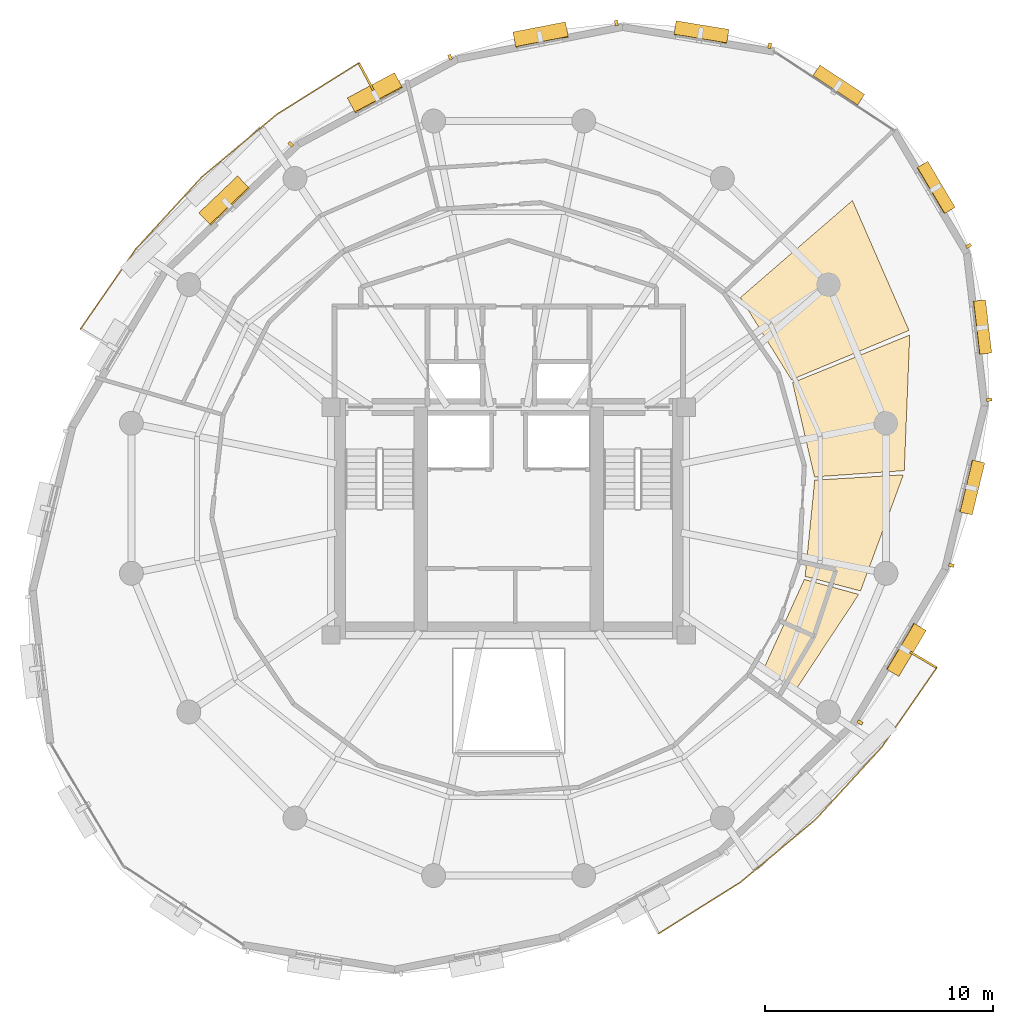
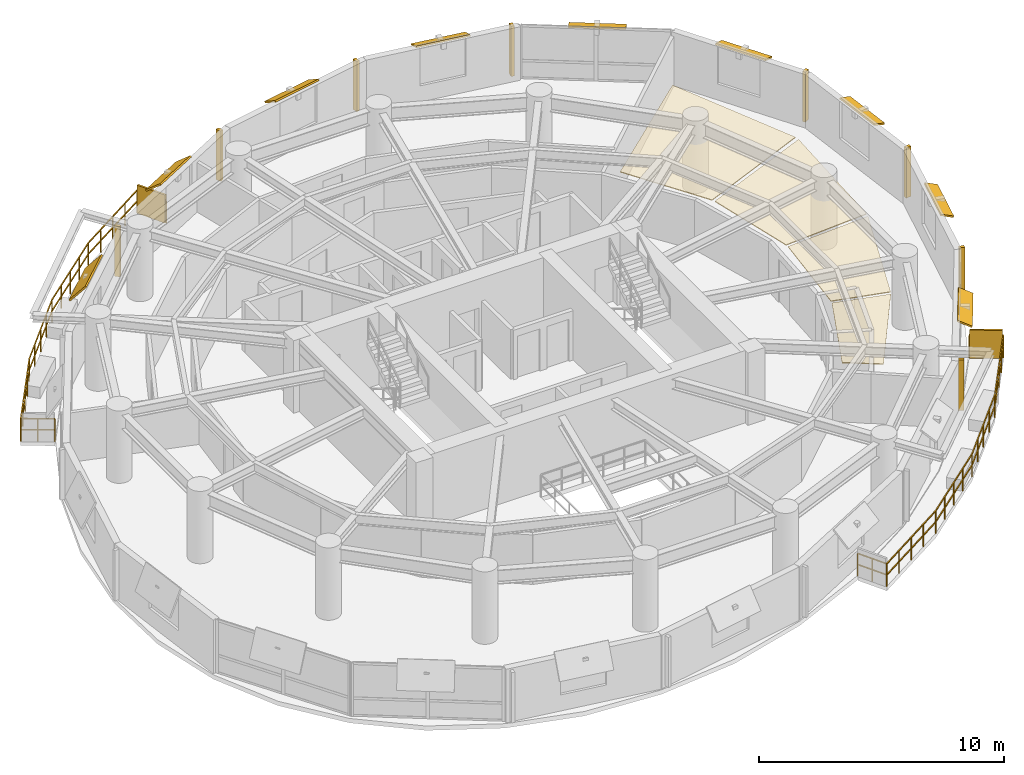
# One storey, part 12 of 12: 19 shading devices, 4 coverings, 2 railings.
"""IFC4 building model written with IfcOpenShell, lengths in metres."""

from ifc_helpers import new_model, si_unit, direction, frame, origin, origin_2d, place, context, subcontext, project, spatial, polyline, rectangle, outline, extrude, material, layer, layer_set, type_object, element, save


model = new_model("IFC4")

# Units and contexts
model_context = context("Model", 3, precision=1e-05, world=origin(), true_north=direction((0.0, 1.0)))
body_context = subcontext(model_context, "Body", "Model", "MODEL_VIEW")
ifc_project = project(units=[si_unit("LENGTHUNIT", "METRE"), si_unit("AREAUNIT", "SQUARE_METRE"), si_unit("VOLUMEUNIT", "CUBIC_METRE"), si_unit("PLANEANGLEUNIT", "RADIAN"), si_unit("MASSUNIT", "GRAM", prefix="KILO"), si_unit("THERMODYNAMICTEMPERATUREUNIT", "KELVIN"), si_unit("POWERUNIT", "WATT")], contexts=[model_context])

# Site, building, storey
site_placement = place(None, origin())
site = spatial("IfcSite", under=ifc_project, at=site_placement, CompositionType="ELEMENT")
building_placement = place(site_placement, origin())
building = spatial("IfcBuilding", under=site, at=building_placement, Name="Ocrelia Relay Tower", CompositionType="ELEMENT")
storey_placement = place(building_placement, frame((0.0, 0.0, 213.199951171875)))
storey = spatial("IfcBuildingStorey", under=building, at=storey_placement, Name="L52", CompositionType="ELEMENT", Elevation=213.199951171875)

# Coverings
ifc_material_1 = material(Name="Mineral-fiber acoustic ceiling tile", Category="gypsum")
ifc_layer_1 = layer(ifc_material_1, 0.0400390625, Name="Mineral-fiber acoustic ceiling tile")
ifc_layer_set_1 = layer_set([ifc_layer_1], Name="Mineral-fiber acoustic ceiling tile")
covering_type = type_object("IfcCoveringType", Name="COV-CEIL-ACOUSTIC", PredefinedType="CEILING", material=ifc_layer_set_1)
covering_1_placement = place(storey_placement, frame((0.0, 0.0, 2.380126953125)))
element("IfcCovering", 1, at=covering_1_placement, inside=storey, type_object=covering_type, Name="L52 Spectrum Operations Office Suspended Ceiling 1", PredefinedType="CEILING", context=body_context, shape_type="SweptSolid", body=[
    extrude(outline(polyline([(45.232421875, 18.5654296875), (46.644775390625, 17.630615234375), (49.382080078125, 21.777587890625), (46.989501953125, 22.434326171875), (45.232421875, 18.5654296875)])), origin(), (0.0, 0.0, 1.0), 0.0400390625),
])
covering_2_placement = place(storey_placement, frame((0.0, 0.0, 2.380126953125)))
element("IfcCovering", 2, at=covering_2_placement, inside=storey, type_object=covering_type, Name="L52 Spectrum Operations Office Suspended Ceiling 2", PredefinedType="CEILING", context=body_context, shape_type="SweptSolid", body=[
    extrude(outline(polyline([(47.026123046875, 22.570556640625), (49.461181640625, 21.929443359375), (51.341796875, 27.0302734375), (47.4462890625, 26.798828125), (47.026123046875, 22.570556640625)])), origin(), (0.0, 0.0, 1.0), 0.0400390625),
])
covering_3_placement = place(storey_placement, frame((0.0, 0.0, 2.380126953125)))
element("IfcCovering", 3, at=covering_3_placement, inside=storey, type_object=covering_type, Name="L52 Spectrum Operations Office Suspended Ceiling 3", PredefinedType="CEILING", context=body_context, shape_type="SweptSolid", body=[
    extrude(outline(polyline([(47.437255859375, 26.939697265625), (51.3828125, 27.215576171875), (51.622314453125, 33.173583984375), (46.475830078125, 31.07861328125), (47.437255859375, 26.939697265625)])), origin(), (0.0, 0.0, 1.0), 0.0400390625),
])
covering_4_placement = place(storey_placement, frame((0.0, 0.0, 2.380126953125)))
element("IfcCovering", 4, at=covering_4_placement, inside=storey, type_object=covering_type, Name="L52 Spectrum Operations Office Suspended Ceiling 4", PredefinedType="CEILING", context=body_context, shape_type="SweptSolid", body=[
    extrude(outline(polyline([(46.422119140625, 31.208984375), (51.590087890625, 33.376220703125), (49.10302734375, 39.082763671875), (44.181396484375, 34.8193359375), (46.422119140625, 31.208984375)])), origin(), (0.0, 0.0, 1.0), 0.0400390625),
])

# Railings
ifc_material_2 = material(Name="Steel S355 balustrade", Category="steel")
railing_type = type_object("IfcRailingType", Name="RL-EXT-GUARD-1150", PredefinedType="GUARDRAIL", material=ifc_material_2)
railing_1_placement = place(storey_placement, frame((16.3876953125, 32.7353515625, 0.0)))
element("IfcRailing", 5, at=railing_1_placement, inside=storey, type_object=railing_type, Name="L52 Loggia Balcony Guard Rail B1", PredefinedType="GUARDRAIL", context=body_context, shape_type="SweptSolid", body=[
    extrude(rectangle(XDim=0.048095703125, YDim=0.048095703125, at=origin_2d()), frame((0.0, 0.0, 1.1259765625), z_axis=(-0.860263072382, 0.509850415608, 0.0), x_axis=(-0.509850415608, -0.860263072382, 0.0)), (0.0, 0.0, 1.0), 1.3935546875),
    extrude(rectangle(XDim=0.048095703125, YDim=0.048095703125, at=origin_2d()), frame((0.0, 0.0, 0.574951171875), z_axis=(-0.860263072382, 0.509850415608, 0.0), x_axis=(-0.509850415608, -0.860263072382, 0.0)), (0.0, 0.0, 1.0), 1.3935546875),
    extrude(rectangle(XDim=0.048095703125, YDim=0.048095703125, at=origin_2d()), frame((-1.19873046875, 0.71044921875, 1.1259765625), z_axis=(0.56913237777, 0.822245910038, 0.0), x_axis=(-0.822245910038, 0.56913237777, 0.0)), (0.0, 0.0, 1.0), 2.126953125),
    extrude(rectangle(XDim=0.048095703125, YDim=0.048095703125, at=origin_2d()), frame((-1.19873046875, 0.71044921875, 0.574951171875), z_axis=(0.56913237777, 0.822245910038, 0.0), x_axis=(-0.822245910038, 0.56913237777, 0.0)), (0.0, 0.0, 1.0), 2.126953125),
    extrude(rectangle(XDim=0.048095703125, YDim=0.048095703125, at=origin_2d()), frame((0.01171875, 2.459228515625, 1.1259765625), z_axis=(0.569108483289, 0.822262448521, 0.0), x_axis=(-0.822262448521, 0.569108483289, 0.0)), (0.0, 0.0, 1.0), 2.12646484375),
    extrude(rectangle(XDim=0.048095703125, YDim=0.048095703125, at=origin_2d()), frame((0.01171875, 2.459228515625, 0.574951171875), z_axis=(0.569108483289, 0.822262448521, 0.0), x_axis=(-0.822262448521, 0.569108483289, 0.0)), (0.0, 0.0, 1.0), 2.12646484375),
    extrude(rectangle(XDim=0.048095703125, YDim=0.048095703125, at=origin_2d()), frame((1.221923828125, 4.207763671875, 1.1259765625), z_axis=(0.675091733313, 0.737733794544, 0.0), x_axis=(-0.737733794544, 0.675091733313, 0.0)), (0.0, 0.0, 1.0), 4.298828125),
    extrude(rectangle(XDim=0.048095703125, YDim=0.048095703125, at=origin_2d()), frame((1.221923828125, 4.207763671875, 0.574951171875), z_axis=(0.675091733313, 0.737733794544, 0.0), x_axis=(-0.737733794544, 0.675091733313, 0.0)), (0.0, 0.0, 1.0), 4.298828125),
    extrude(rectangle(XDim=0.048095703125, YDim=0.048095703125, at=origin_2d()), frame((4.1240234375, 7.379150390625, 1.1259765625), z_axis=(0.767583213936, 0.640949303521, 0.0), x_axis=(-0.640949303521, 0.767583213936, 0.0)), (0.0, 0.0, 1.0), 4.29931640625),
    extrude(rectangle(XDim=0.048095703125, YDim=0.048095703125, at=origin_2d()), frame((4.1240234375, 7.379150390625, 0.574951171875), z_axis=(0.767583213936, 0.640949303521, 0.0), x_axis=(-0.640949303521, 0.767583213936, 0.0)), (0.0, 0.0, 1.0), 4.29931640625),
    extrude(rectangle(XDim=0.048095703125, YDim=0.048095703125, at=origin_2d()), frame((7.424072265625, 10.134765625, 1.1259765625), z_axis=(0.84724930194, 0.531195463425, 0.0), x_axis=(-0.531195463425, 0.84724930194, 0.0)), (0.0, 0.0, 1.0), 2.126708984375),
    extrude(rectangle(XDim=0.048095703125, YDim=0.048095703125, at=origin_2d()), frame((7.424072265625, 10.134765625, 0.574951171875), z_axis=(0.84724930194, 0.531195463425, 0.0), x_axis=(-0.531195463425, 0.84724930194, 0.0)), (0.0, 0.0, 1.0), 2.126708984375),
    extrude(rectangle(XDim=0.048095703125, YDim=0.048095703125, at=origin_2d()), frame((9.225830078125, 11.264404296875, 1.1259765625), z_axis=(0.84724930194, 0.531195463425, 0.0), x_axis=(-0.531195463425, 0.84724930194, 0.0)), (0.0, 0.0, 1.0), 2.126708984375),
    extrude(rectangle(XDim=0.048095703125, YDim=0.048095703125, at=origin_2d()), frame((9.225830078125, 11.264404296875, 0.574951171875), z_axis=(0.84724930194, 0.531195463425, 0.0), x_axis=(-0.531195463425, 0.84724930194, 0.0)), (0.0, 0.0, 1.0), 2.126708984375),
    extrude(rectangle(XDim=0.048095703125, YDim=0.048095703125, at=origin_2d()), frame((11.027587890625, 12.39404296875, 1.1259765625), z_axis=(0.470260822857, -0.882527483133, 0.0), x_axis=(0.882527483133, 0.470260822857, 0.0)), (0.0, 0.0, 1.0), 1.393310546875),
    extrude(rectangle(XDim=0.048095703125, YDim=0.048095703125, at=origin_2d()), frame((11.027587890625, 12.39404296875, 0.574951171875), z_axis=(0.470260822857, -0.882527483133, 0.0), x_axis=(0.882527483133, 0.470260822857, 0.0)), (0.0, 0.0, 1.0), 1.393310546875),
    extrude(rectangle(XDim=0.0419921875, YDim=0.0419921875, at=origin_2d()), origin(), (0.0, 0.0, 1.0), 1.101806640625),
    extrude(rectangle(XDim=0.0419921875, YDim=0.0419921875, at=origin_2d()), frame((-0.599365234375, 0.355224609375, 0.0)), (0.0, 0.0, 1.0), 1.101806640625),
    extrude(rectangle(XDim=0.0419921875, YDim=0.0419921875, at=origin_2d()), frame((-1.19873046875, 0.71044921875, 0.0)), (0.0, 0.0, 1.0), 1.101806640625),
    extrude(rectangle(XDim=0.0419921875, YDim=0.0419921875, at=origin_2d()), frame((-0.593505859375, 1.5849609375, 0.0)), (0.0, 0.0, 1.0), 1.101806640625),
    extrude(rectangle(XDim=0.0419921875, YDim=0.0419921875, at=origin_2d()), frame((0.01171875, 2.459228515625, 0.0)), (0.0, 0.0, 1.0), 1.101806640625),
    extrude(rectangle(XDim=0.0419921875, YDim=0.0419921875, at=origin_2d()), frame((0.61669921875, 3.33349609375, 0.0)), (0.0, 0.0, 1.0), 1.101806640625),
    extrude(rectangle(XDim=0.0419921875, YDim=0.0419921875, at=origin_2d()), frame((1.221923828125, 4.207763671875, 0.0)), (0.0, 0.0, 1.0), 1.101806640625),
    extrude(rectangle(XDim=0.0419921875, YDim=0.0419921875, at=origin_2d()), frame((1.947509765625, 5.00048828125, 0.0)), (0.0, 0.0, 1.0), 1.101806640625),
    extrude(rectangle(XDim=0.0419921875, YDim=0.0419921875, at=origin_2d()), frame((2.6728515625, 5.79345703125, 0.0)), (0.0, 0.0, 1.0), 1.101806640625),
    extrude(rectangle(XDim=0.0419921875, YDim=0.0419921875, at=origin_2d()), frame((3.3984375, 6.58642578125, 0.0)), (0.0, 0.0, 1.0), 1.101806640625),
    extrude(rectangle(XDim=0.0419921875, YDim=0.0419921875, at=origin_2d()), frame((4.1240234375, 7.379150390625, 0.0)), (0.0, 0.0, 1.0), 1.101806640625),
    extrude(rectangle(XDim=0.0419921875, YDim=0.0419921875, at=origin_2d()), frame((4.948974609375, 8.068115234375, 0.0)), (0.0, 0.0, 1.0), 1.101806640625),
    extrude(rectangle(XDim=0.0419921875, YDim=0.0419921875, at=origin_2d()), frame((5.77392578125, 8.7568359375, 0.0)), (0.0, 0.0, 1.0), 1.101806640625),
    extrude(rectangle(XDim=0.0419921875, YDim=0.0419921875, at=origin_2d()), frame((6.59912109375, 9.44580078125, 0.0)), (0.0, 0.0, 1.0), 1.101806640625),
    extrude(rectangle(XDim=0.0419921875, YDim=0.0419921875, at=origin_2d()), frame((7.424072265625, 10.134765625, 0.0)), (0.0, 0.0, 1.0), 1.101806640625),
    extrude(rectangle(XDim=0.0419921875, YDim=0.0419921875, at=origin_2d()), frame((8.324951171875, 10.69970703125, 0.0)), (0.0, 0.0, 1.0), 1.101806640625),
    extrude(rectangle(XDim=0.0419921875, YDim=0.0419921875, at=origin_2d()), frame((9.225830078125, 11.264404296875, 0.0)), (0.0, 0.0, 1.0), 1.101806640625),
    extrude(rectangle(XDim=0.0419921875, YDim=0.0419921875, at=origin_2d()), frame((10.126708984375, 11.8291015625, 0.0)), (0.0, 0.0, 1.0), 1.101806640625),
    extrude(rectangle(XDim=0.0419921875, YDim=0.0419921875, at=origin_2d()), frame((11.027587890625, 12.39404296875, 0.0)), (0.0, 0.0, 1.0), 1.101806640625),
    extrude(rectangle(XDim=0.0419921875, YDim=0.0419921875, at=origin_2d()), frame((11.355224609375, 11.779296875, 0.0)), (0.0, 0.0, 1.0), 1.101806640625),
    extrude(rectangle(XDim=0.0419921875, YDim=0.0419921875, at=origin_2d()), frame((11.682861328125, 11.164306640625, 0.0)), (0.0, 0.0, 1.0), 1.101806640625),
])
railing_2_placement = place(storey_placement, frame((51.6123046875, 19.2646484375, 0.0)))
element("IfcRailing", 6, at=railing_2_placement, inside=storey, type_object=railing_type, Name="L52 Loggia Balcony Guard Rail B2", PredefinedType="GUARDRAIL", context=body_context, shape_type="SweptSolid", body=[
    extrude(rectangle(XDim=0.048095703125, YDim=0.048095703125, at=origin_2d()), frame((0.0, 0.0, 1.1259765625), z_axis=(0.860263072382, -0.509850415608, 0.0), x_axis=(0.509850415608, 0.860263072382, 0.0)), (0.0, 0.0, 1.0), 1.3935546875),
    extrude(rectangle(XDim=0.048095703125, YDim=0.048095703125, at=origin_2d()), frame((0.0, 0.0, 0.574951171875), z_axis=(0.860263072382, -0.509850415608, 0.0), x_axis=(0.509850415608, 0.860263072382, 0.0)), (0.0, 0.0, 1.0), 1.3935546875),
    extrude(rectangle(XDim=0.048095703125, YDim=0.048095703125, at=origin_2d()), frame((1.19873046875, -0.71044921875, 1.1259765625), z_axis=(-0.569108483289, -0.822262448521, 0.0), x_axis=(0.822262448521, -0.569108483289, 0.0)), (0.0, 0.0, 1.0), 2.12646484375),
    extrude(rectangle(XDim=0.048095703125, YDim=0.048095703125, at=origin_2d()), frame((1.19873046875, -0.71044921875, 0.574951171875), z_axis=(-0.569108483289, -0.822262448521, 0.0), x_axis=(0.822262448521, -0.569108483289, 0.0)), (0.0, 0.0, 1.0), 2.12646484375),
    extrude(rectangle(XDim=0.048095703125, YDim=0.048095703125, at=origin_2d()), frame((-0.011474609375, -2.458984375, 1.1259765625), z_axis=(-0.56913237777, -0.822245910038, 0.0), x_axis=(0.822245910038, -0.56913237777, 0.0)), (0.0, 0.0, 1.0), 2.126953125),
    extrude(rectangle(XDim=0.048095703125, YDim=0.048095703125, at=origin_2d()), frame((-0.011474609375, -2.458984375, 0.574951171875), z_axis=(-0.56913237777, -0.822245910038, 0.0), x_axis=(0.822245910038, -0.56913237777, 0.0)), (0.0, 0.0, 1.0), 2.126953125),
    extrude(rectangle(XDim=0.048095703125, YDim=0.048095703125, at=origin_2d()), frame((-1.221923828125, -4.207763671875, 1.1259765625), z_axis=(-0.675091733313, -0.737733794544, 0.0), x_axis=(0.737733794544, -0.675091733313, 0.0)), (0.0, 0.0, 1.0), 4.298828125),
    extrude(rectangle(XDim=0.048095703125, YDim=0.048095703125, at=origin_2d()), frame((-1.221923828125, -4.207763671875, 0.574951171875), z_axis=(-0.675091733313, -0.737733794544, 0.0), x_axis=(0.737733794544, -0.675091733313, 0.0)), (0.0, 0.0, 1.0), 4.298828125),
    extrude(rectangle(XDim=0.048095703125, YDim=0.048095703125, at=origin_2d()), frame((-4.1240234375, -7.379150390625, 1.1259765625), z_axis=(-0.767583213936, -0.640949303521, 0.0), x_axis=(0.640949303521, -0.767583213936, 0.0)), (0.0, 0.0, 1.0), 4.29931640625),
    extrude(rectangle(XDim=0.048095703125, YDim=0.048095703125, at=origin_2d()), frame((-4.1240234375, -7.379150390625, 0.574951171875), z_axis=(-0.767583213936, -0.640949303521, 0.0), x_axis=(0.640949303521, -0.767583213936, 0.0)), (0.0, 0.0, 1.0), 4.29931640625),
    extrude(rectangle(XDim=0.048095703125, YDim=0.048095703125, at=origin_2d()), frame((-7.424072265625, -10.134765625, 1.1259765625), z_axis=(-0.84724930194, -0.531195463425, 0.0), x_axis=(0.531195463425, -0.84724930194, 0.0)), (0.0, 0.0, 1.0), 2.126708984375),
    extrude(rectangle(XDim=0.048095703125, YDim=0.048095703125, at=origin_2d()), frame((-7.424072265625, -10.134765625, 0.574951171875), z_axis=(-0.84724930194, -0.531195463425, 0.0), x_axis=(0.531195463425, -0.84724930194, 0.0)), (0.0, 0.0, 1.0), 2.126708984375),
    extrude(rectangle(XDim=0.048095703125, YDim=0.048095703125, at=origin_2d()), frame((-9.225830078125, -11.264404296875, 1.1259765625), z_axis=(-0.84724930194, -0.531195463425, 0.0), x_axis=(0.531195463425, -0.84724930194, 0.0)), (0.0, 0.0, 1.0), 2.126708984375),
    extrude(rectangle(XDim=0.048095703125, YDim=0.048095703125, at=origin_2d()), frame((-9.225830078125, -11.264404296875, 0.574951171875), z_axis=(-0.84724930194, -0.531195463425, 0.0), x_axis=(0.531195463425, -0.84724930194, 0.0)), (0.0, 0.0, 1.0), 2.126708984375),
    extrude(rectangle(XDim=0.048095703125, YDim=0.048095703125, at=origin_2d()), frame((-11.027587890625, -12.39404296875, 1.1259765625), z_axis=(-0.470260822857, 0.882527483133, 0.0), x_axis=(-0.882527483133, -0.470260822857, 0.0)), (0.0, 0.0, 1.0), 1.393310546875),
    extrude(rectangle(XDim=0.048095703125, YDim=0.048095703125, at=origin_2d()), frame((-11.027587890625, -12.39404296875, 0.574951171875), z_axis=(-0.470260822857, 0.882527483133, 0.0), x_axis=(-0.882527483133, -0.470260822857, 0.0)), (0.0, 0.0, 1.0), 1.393310546875),
    extrude(rectangle(XDim=0.0419921875, YDim=0.0419921875, at=origin_2d()), origin(), (0.0, 0.0, 1.0), 1.101806640625),
    extrude(rectangle(XDim=0.0419921875, YDim=0.0419921875, at=origin_2d()), frame((0.599365234375, -0.355224609375, 0.0)), (0.0, 0.0, 1.0), 1.101806640625),
    extrude(rectangle(XDim=0.0419921875, YDim=0.0419921875, at=origin_2d()), frame((1.19873046875, -0.71044921875, 0.0)), (0.0, 0.0, 1.0), 1.101806640625),
    extrude(rectangle(XDim=0.0419921875, YDim=0.0419921875, at=origin_2d()), frame((0.59375, -1.584716796875, 0.0)), (0.0, 0.0, 1.0), 1.101806640625),
    extrude(rectangle(XDim=0.0419921875, YDim=0.0419921875, at=origin_2d()), frame((-0.011474609375, -2.458984375, 0.0)), (0.0, 0.0, 1.0), 1.101806640625),
    extrude(rectangle(XDim=0.0419921875, YDim=0.0419921875, at=origin_2d()), frame((-0.61669921875, -3.33349609375, 0.0)), (0.0, 0.0, 1.0), 1.101806640625),
    extrude(rectangle(XDim=0.0419921875, YDim=0.0419921875, at=origin_2d()), frame((-1.221923828125, -4.207763671875, 0.0)), (0.0, 0.0, 1.0), 1.101806640625),
    extrude(rectangle(XDim=0.0419921875, YDim=0.0419921875, at=origin_2d()), frame((-1.947509765625, -5.00048828125, 0.0)), (0.0, 0.0, 1.0), 1.101806640625),
    extrude(rectangle(XDim=0.0419921875, YDim=0.0419921875, at=origin_2d()), frame((-2.6728515625, -5.79345703125, 0.0)), (0.0, 0.0, 1.0), 1.101806640625),
    extrude(rectangle(XDim=0.0419921875, YDim=0.0419921875, at=origin_2d()), frame((-3.3984375, -6.58642578125, 0.0)), (0.0, 0.0, 1.0), 1.101806640625),
    extrude(rectangle(XDim=0.0419921875, YDim=0.0419921875, at=origin_2d()), frame((-4.1240234375, -7.379150390625, 0.0)), (0.0, 0.0, 1.0), 1.101806640625),
    extrude(rectangle(XDim=0.0419921875, YDim=0.0419921875, at=origin_2d()), frame((-4.948974609375, -8.068115234375, 0.0)), (0.0, 0.0, 1.0), 1.101806640625),
    extrude(rectangle(XDim=0.0419921875, YDim=0.0419921875, at=origin_2d()), frame((-5.77392578125, -8.7568359375, 0.0)), (0.0, 0.0, 1.0), 1.101806640625),
    extrude(rectangle(XDim=0.0419921875, YDim=0.0419921875, at=origin_2d()), frame((-6.59912109375, -9.44580078125, 0.0)), (0.0, 0.0, 1.0), 1.101806640625),
    extrude(rectangle(XDim=0.0419921875, YDim=0.0419921875, at=origin_2d()), frame((-7.424072265625, -10.134765625, 0.0)), (0.0, 0.0, 1.0), 1.101806640625),
    extrude(rectangle(XDim=0.0419921875, YDim=0.0419921875, at=origin_2d()), frame((-8.324951171875, -10.69970703125, 0.0)), (0.0, 0.0, 1.0), 1.101806640625),
    extrude(rectangle(XDim=0.0419921875, YDim=0.0419921875, at=origin_2d()), frame((-9.225830078125, -11.264404296875, 0.0)), (0.0, 0.0, 1.0), 1.101806640625),
    extrude(rectangle(XDim=0.0419921875, YDim=0.0419921875, at=origin_2d()), frame((-10.126708984375, -11.8291015625, 0.0)), (0.0, 0.0, 1.0), 1.101806640625),
    extrude(rectangle(XDim=0.0419921875, YDim=0.0419921875, at=origin_2d()), frame((-11.027587890625, -12.39404296875, 0.0)), (0.0, 0.0, 1.0), 1.101806640625),
    extrude(rectangle(XDim=0.0419921875, YDim=0.0419921875, at=origin_2d()), frame((-11.355224609375, -11.779296875, 0.0)), (0.0, 0.0, 1.0), 1.101806640625),
    extrude(rectangle(XDim=0.0419921875, YDim=0.0419921875, at=origin_2d()), frame((-11.682861328125, -11.164306640625, 0.0)), (0.0, 0.0, 1.0), 1.101806640625),
])

# Shading devices
ifc_material_3 = material(Name="Perforated oxide terracotta solar screen", Category="masonry")
ifc_layer_2 = layer(ifc_material_3, 0.090087890625, Name="Perforated oxide terracotta solar screen")
ifc_layer_set_2 = layer_set([ifc_layer_2], Name="Perforated oxide terracotta solar screen")
shading_device_type_1 = type_object("IfcShadingDeviceType", Name="SH-BALC-SCREEN", PredefinedType="USERDEFINED", material=ifc_layer_set_2)
for number, where, z_axis, x_axis, name in (
    (7, (27.742919921875, 44.514404296875, 0.0), (0.0, 0.0, 1.0), (-0.470312595768, 0.882499893633, 0.0), "L52 Balcony Perforated Terracotta Screen B1-1"),
    (8, (52.211669921875, 18.909423828125, 0.0), (0.0, 0.0, 1.0), (0.860241403588, -0.509886975273, 0.0), "L52 Balcony Perforated Terracotta Screen B2-2"),
):
    element("IfcShadingDevice", number, at=place(storey_placement, frame(where, z_axis=z_axis, x_axis=x_axis)), inside=storey, type_object=shading_device_type_1, Name=name, ObjectType="SCREEN", PredefinedType="USERDEFINED", context=body_context, shape_type="SweptSolid", body=[
        extrude(rectangle(XDim=1.340087890625, YDim=0.090087890625, at=origin_2d()), origin(), (0.0, 0.0, 1.0), 1.39990234375),
    ])
ifc_material_4 = material(Name="Extruded oxide terracotta vertical baguette", Category="masonry")
shading_device_type_2 = type_object("IfcShadingDeviceType", Name="SH-TERR-BAGUETTE", PredefinedType="USERDEFINED", material=ifc_material_4)
for number, where, z_axis, x_axis, name in (
    (9, (45.467529296875, 45.88330078125, 0.080078125), (0.0, 0.0, 1.0), (-0.986977398375, 0.160858991349, 0.0), "L52 Oxide Terracotta Vertical Baguette 02"),
    (10, (38.730712890625, 46.8828125, 0.080078125), (0.0, 0.0, 1.0), (-0.981611801437, -0.19088811194, 0.0), "L52 Oxide Terracotta Vertical Baguette 03"),
    (11, (31.4287109375, 45.38037109375, 0.080078125), (0.0, 0.0, 1.0), (-0.881781347614, -0.471658409233, 0.0), "L52 Oxide Terracotta Vertical Baguette 04"),
    (12, (24.426513671875, 41.55224609375, 0.080078125), (0.0, 0.0, 1.0), (-0.722970476778, -0.690878925505, 0.0), "L52 Oxide Terracotta Vertical Baguette 05"),
    (13, (49.43701171875, 16.151611328125, 0.080078125), (0.0, 0.0, 1.0), (0.511169344798, 0.859480017766, 0.0), "L52 Oxide Terracotta Vertical Baguette 15"),
    (14, (53.44873046875, 23.05517578125, 0.080078125), (0.0, 0.0, 1.0), (0.235213108583, 0.97194382222, 0.0), "L52 Oxide Terracotta Vertical Baguette 16"),
    (15, (55.109375, 30.3310546875, 0.080078125), (0.0, 0.0, 1.0), (-0.115907027352, 0.993260067158, 0.0), "L52 Oxide Terracotta Vertical Baguette 17"),
    (16, (54.201904296875, 37.08935546875, 0.080078125), (0.0, 0.0, 1.0), (-0.510851311263, 0.859669086208, 0.0), "L52 Oxide Terracotta Vertical Baguette 18"),
):
    element("IfcShadingDevice", number, at=place(storey_placement, frame(where, z_axis=z_axis, x_axis=x_axis)), inside=storey, type_object=shading_device_type_2, Name=name, ObjectType="BAGUETTE", PredefinedType="USERDEFINED", context=body_context, shape_type="SweptSolid", body=[
        extrude(rectangle(XDim=0.139892578125, YDim=0.239990234375, at=origin_2d()), origin(), (0.0, 0.0, 1.0), 2.5),
    ])
ifc_material_5 = material(Name="Extruded oxide terracotta fin", Category="masonry")
ifc_layer_3 = layer(ifc_material_5, 0.080078125, Name="Extruded oxide terracotta fin")
ifc_layer_set_3 = layer_set([ifc_layer_3], Name="Extruded oxide terracotta fin")
shading_device_type_3 = type_object("IfcShadingDeviceType", Name="SH-VISOR-FIN-MED", PredefinedType="USERDEFINED", material=ifc_layer_set_3)
shading_device_1_placement = place(storey_placement, frame((28.136474609375, 43.791015625, 2.468994140625), z_axis=(-0.297974330585, 0.557073088562, 0.775165061333), x_axis=(-0.881781347614, -0.471658409233, 0.0)))
element("IfcShadingDevice", 17, at=shading_device_1_placement, inside=storey, type_object=shading_device_type_3, Name="L52 Canted Terracotta Sun-Visor Fin 04", ObjectType="FIN", PredefinedType="USERDEFINED", context=body_context, shape_type="SweptSolid", body=[
    extrude(rectangle(XDim=2.35009765625, YDim=0.903076171875, at=origin_2d()), origin(), (0.0, 0.0, 1.0), 0.080078125),
])
shading_device_2_placement = place(storey_placement, frame((21.52294921875, 39.056396484375, 2.47412109375), z_axis=(-0.526833477476, 0.55130506422, 0.646922880393), x_axis=(-0.722970476778, -0.690878925505, 0.0)))
element("IfcShadingDevice", 18, at=shading_device_2_placement, inside=storey, type_object=shading_device_type_3, Name="L52 Canted Terracotta Sun-Visor Fin 05", ObjectType="FIN", PredefinedType="USERDEFINED", context=body_context, shape_type="SweptSolid", body=[
    extrude(rectangle(XDim=2.35009765625, YDim=1.077880859375, at=origin_2d()), origin(), (0.0, 0.0, 1.0), 0.080078125),
])
ifc_layer_4 = layer(ifc_material_5, 0.080078125, Name="Extruded oxide terracotta fin")
ifc_layer_set_4 = layer_set([ifc_layer_4], Name="Extruded oxide terracotta fin")
shading_device_type_4 = type_object("IfcShadingDeviceType", Name="SH-VISOR-FIN-SHAL", PredefinedType="USERDEFINED", material=ifc_layer_set_4)
shading_device_3_placement = place(storey_placement, frame((48.488037109375, 44.135009765625, 2.46240234375), z_axis=(0.192375421242, 0.29263784306, 0.936672189248), x_axis=(-0.835613007377, 0.549318579608, 0.0)))
element("IfcShadingDevice", 19, at=shading_device_3_placement, inside=storey, type_object=shading_device_type_4, Name="L52 Canted Terracotta Sun-Visor Fin 01", ObjectType="FIN", PredefinedType="USERDEFINED", context=body_context, shape_type="SweptSolid", body=[
    extrude(rectangle(XDim=2.35009765625, YDim=0.592041015625, at=origin_2d()), origin(), (0.0, 0.0, 1.0), 0.080078125),
])
shading_device_4_placement = place(storey_placement, frame((42.467529296875, 46.461181640625, 2.463623046875), z_axis=(0.066221371463, 0.406312363239, 0.91133143995), x_axis=(-0.986977398375, 0.160858991349, 0.0)))
element("IfcShadingDevice", 20, at=shading_device_4_placement, inside=storey, type_object=shading_device_type_4, Name="L52 Canted Terracotta Sun-Visor Fin 02", ObjectType="FIN", PredefinedType="USERDEFINED", context=body_context, shape_type="SweptSolid", body=[
    extrude(rectangle(XDim=2.35009765625, YDim=0.655029296875, at=origin_2d()), origin(), (0.0, 0.0, 1.0), 0.080078125),
])
shading_device_5_placement = place(storey_placement, frame((35.408935546875, 46.34765625, 2.465576171875), z_axis=(-0.096538352467, 0.496433146673, 0.862690255763), x_axis=(-0.981611801437, -0.19088811194, 0.0)))
element("IfcShadingDevice", 21, at=shading_device_5_placement, inside=storey, type_object=shading_device_type_4, Name="L52 Canted Terracotta Sun-Visor Fin 03", ObjectType="FIN", PredefinedType="USERDEFINED", context=body_context, shape_type="SweptSolid", body=[
    extrude(rectangle(XDim=2.35009765625, YDim=0.756103515625, at=origin_2d()), origin(), (0.0, 0.0, 1.0), 0.080078125),
])
shading_device_6_placement = place(storey_placement, frame((51.453125, 19.3544921875, 2.4638671875), z_axis=(0.367034283207, -0.218290908674, 0.904231670614), x_axis=(0.511169344798, 0.859480017766, 0.0)))
element("IfcShadingDevice", 22, at=shading_device_6_placement, inside=storey, type_object=shading_device_type_4, Name="L52 Canted Terracotta Sun-Visor Fin 15", ObjectType="FIN", PredefinedType="USERDEFINED", context=body_context, shape_type="SweptSolid", body=[
    extrude(rectangle(XDim=2.35009765625, YDim=0.6708984375, at=origin_2d()), origin(), (0.0, 0.0, 1.0), 0.080078125),
])
shading_device_7_placement = place(storey_placement, frame((54.3486328125, 26.481689453125, 2.46240234375), z_axis=(0.332743156889, -0.080524769541, 0.939573175987), x_axis=(0.235213108583, 0.97194382222, 0.0)))
element("IfcShadingDevice", 23, at=shading_device_7_placement, inside=storey, type_object=shading_device_type_4, Name="L52 Canted Terracotta Sun-Visor Fin 16", ObjectType="FIN", PredefinedType="USERDEFINED", context=body_context, shape_type="SweptSolid", body=[
    extrude(rectangle(XDim=2.35009765625, YDim=0.583984375, at=origin_2d()), origin(), (0.0, 0.0, 1.0), 0.080078125),
])
shading_device_8_placement = place(storey_placement, frame((54.80126953125, 33.521240234375, 2.4619140625), z_axis=(0.308582491359, 0.036009581427, 0.950515731628), x_axis=(-0.115907027352, 0.993260067158, 0.0)))
element("IfcShadingDevice", 24, at=shading_device_8_placement, inside=storey, type_object=shading_device_type_4, Name="L52 Canted Terracotta Sun-Visor Fin 17", ObjectType="FIN", PredefinedType="USERDEFINED", context=body_context, shape_type="SweptSolid", body=[
    extrude(rectangle(XDim=2.35009765625, YDim=0.552001953125, at=origin_2d()), origin(), (0.0, 0.0, 1.0), 0.080078125),
])
shading_device_9_placement = place(storey_placement, frame((52.7666015625, 39.645263671875, 2.4619140625), z_axis=(0.271923132535, 0.161588093659, 0.948655415828), x_axis=(-0.510851311263, 0.859669086208, 0.0)))
element("IfcShadingDevice", 25, at=shading_device_9_placement, inside=storey, type_object=shading_device_type_4, Name="L52 Canted Terracotta Sun-Visor Fin 18", ObjectType="FIN", PredefinedType="USERDEFINED", context=body_context, shape_type="SweptSolid", body=[
    extrude(rectangle(XDim=2.35009765625, YDim=0.556884765625, at=origin_2d()), origin(), (0.0, 0.0, 1.0), 0.080078125),
])

save(model, "model.ifc")
